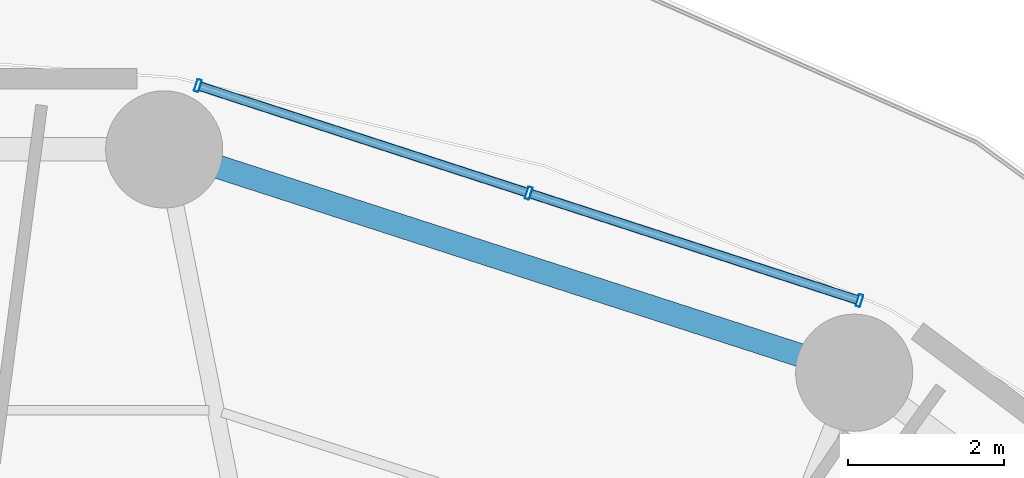
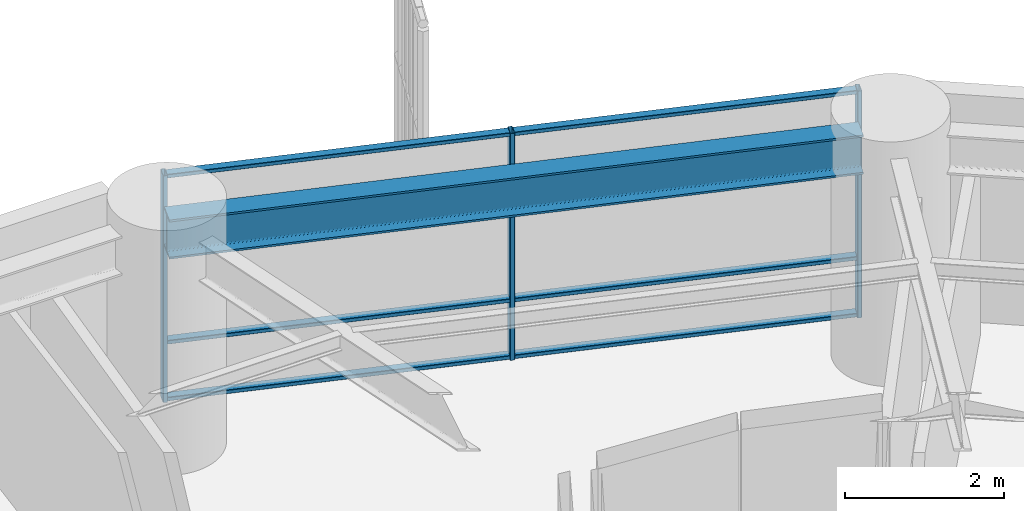
# One storey, part 21 of 33: 9 members, 1 beam, 1 element without a shape of its own.
"""IFC4 building model written with IfcOpenShell, lengths in metres."""

from ifc_helpers import new_model, si_unit, direction, frame, origin, origin_2d, place, context, subcontext, project, spatial, hollow_rectangle, i_section, extrude, material, layer, layer_set, material_profile, profile_set, type_object, element, aggregate, save


model = new_model("IFC4")

# Units and contexts
model_context = context("Model", 3, precision=1e-05, world=origin(), true_north=direction((0.0, 1.0)))
body_context = subcontext(model_context, "Body", "Model", "MODEL_VIEW")
ifc_project = project(units=[si_unit("LENGTHUNIT", "METRE"), si_unit("AREAUNIT", "SQUARE_METRE"), si_unit("VOLUMEUNIT", "CUBIC_METRE"), si_unit("PLANEANGLEUNIT", "RADIAN"), si_unit("MASSUNIT", "GRAM", prefix="KILO")], contexts=[model_context])

# Site, building, storey
site_placement = place(None, origin())
site = spatial("IfcSite", under=ifc_project, at=site_placement, CompositionType="ELEMENT")
building_placement = place(site_placement, origin())
building = spatial("IfcBuilding", under=site, at=building_placement, Name="Kelanora Arch Commons", CompositionType="ELEMENT")
storey_placement = place(building_placement, frame((0.0, 0.0, 45.0)))
storey = spatial("IfcBuildingStorey", under=building, at=storey_placement, Name="L11", CompositionType="ELEMENT", Elevation=45.0)

# Beam
ifc_material_1 = material(Name="Steel S355", Category="steel")
ifc_material_profile_1 = material_profile(ifc_material_1, i_section(OverallWidth=0.300048828125, OverallDepth=0.60009765625, WebThickness=0.015380859375, FlangeThickness=0.030029296875, FilletRadius=0.027099609375, at=origin_2d()), Name="HEB600")
ifc_profile_set_1 = profile_set([ifc_material_profile_1], Name="Steel S355")
beam_type = type_object("IfcBeamType", Name="BM-SPN-Z1", PredefinedType="SPANDREL", material=ifc_profile_set_1)
beam_placement = place(storey_placement, frame((87.178466796875, 78.970947265625, 3.18994140625), z_axis=(-0.951414770924, 0.307912217469, 0.0), x_axis=(-0.307912217469, -0.951414770924, 0.0)))
element("IfcBeam", 1, at=beam_placement, inside=storey, type_object=beam_type, Name="Perimeter Spandrel Beam BS-06 L11", PredefinedType="SPANDREL", context=body_context, shape_type="SweptSolid", body=[
    extrude(i_section(OverallWidth=0.300048828125, OverallDepth=0.60009765625, WebThickness=0.015380859375, FlangeThickness=0.030029296875, FilletRadius=0.027099609375, at=origin_2d()), origin(), (0.0, 0.0, 1.0), 8.908935546875),
])

# Curtain wall, members
ifc_material_2 = material(Name="Terracotta ceramic-fritted low-E glass and aluminium", Category="masonry")
ifc_layer = layer(ifc_material_2, 0.159912109375)
ifc_layer_set = layer_set([ifc_layer], Name="Terracotta ceramic-fritted low-E glass and aluminium")
curtain_wall_type = type_object("IfcCurtainWallType", Name="CW-SYS-01", PredefinedType="NOTDEFINED", material=ifc_layer_set)
curtain_wall_placement = place(storey_placement, origin())
curtain_wall = element("IfcCurtainWall", 2, at=curtain_wall_placement, inside=storey, type_object=curtain_wall_type, Name="Unitised Curtain Wall L11-B03", PredefinedType="NOTDEFINED")
ifc_material_3 = material(Name="Powder-coated aluminium terracotta", Category="masonry")
ifc_material_profile_2 = material_profile(ifc_material_3, hollow_rectangle(XDim=0.159912109375, YDim=0.06005859375, WallThickness=0.0048828125, InnerFilletRadius=0.0048828125, OuterFilletRadius=0.010009765625, at=origin_2d()), Name="CWM160x60")
ifc_profile_set_2 = profile_set([ifc_material_profile_2], Name="Powder-coated aluminium terracotta")
member_type_1 = type_object("IfcMemberType", Name="CWM-STD", PredefinedType="MULLION", material=ifc_profile_set_2)
member_1_placement = place(storey_placement, frame((87.607666015625, 79.778076171875, 0.0), z_axis=(0.0, 0.0, 1.0), x_axis=(-0.30905758454, -0.951043326793, 0.0)))
member_1 = element("IfcMember", 3, at=member_1_placement, type_object=member_type_1, Name="CW-01 mullion 1", PredefinedType="MULLION", context=body_context, shape_type="SweptSolid", body=[
    extrude(hollow_rectangle(XDim=0.159912109375, YDim=0.06005859375, WallThickness=0.0048828125, InnerFilletRadius=0.0048828125, OuterFilletRadius=0.010009765625, at=origin_2d()), origin(), (0.0, 0.0, 1.0), 3.47509765625),
])
member_2_placement = place(storey_placement, frame((83.37109375, 81.15478515625, 0.0), z_axis=(0.0, 0.0, 1.0), x_axis=(-0.30905758454, -0.951043326793, 0.0)))
member_2 = element("IfcMember", 4, at=member_2_placement, type_object=member_type_1, Name="CW-01 mullion 2", PredefinedType="MULLION", context=body_context, shape_type="SweptSolid", body=[
    extrude(hollow_rectangle(XDim=0.159912109375, YDim=0.06005859375, WallThickness=0.0048828125, InnerFilletRadius=0.0048828125, OuterFilletRadius=0.010009765625, at=origin_2d()), origin(), (0.0, 0.0, 1.0), 3.47509765625),
])
member_3_placement = place(storey_placement, frame((79.134521484375, 82.53173828125, 0.0), z_axis=(0.0, 0.0, 1.0), x_axis=(-0.30905758454, -0.951043326793, 0.0)))
member_3 = element("IfcMember", 5, at=member_3_placement, type_object=member_type_1, Name="CW-01 mullion 3", PredefinedType="MULLION", context=body_context, shape_type="SweptSolid", body=[
    extrude(hollow_rectangle(XDim=0.159912109375, YDim=0.06005859375, WallThickness=0.0048828125, InnerFilletRadius=0.0048828125, OuterFilletRadius=0.010009765625, at=origin_2d()), origin(), (0.0, 0.0, 1.0), 3.47509765625),
])
ifc_material_profile_3 = material_profile(ifc_material_3, hollow_rectangle(XDim=0.1201171875, YDim=0.06005859375, WallThickness=0.0048828125, InnerFilletRadius=0.0048828125, OuterFilletRadius=0.010009765625, at=origin_2d()), Name="CWT120x60")
ifc_profile_set_3 = profile_set([ifc_material_profile_3], Name="Powder-coated aluminium terracotta")
member_type_2 = type_object("IfcMemberType", Name="CWT-STD", PredefinedType="USERDEFINED", material=ifc_profile_set_3)
member_4_placement = place(storey_placement, frame((87.5791015625, 79.787353515625, 0.030029296875), z_axis=(-0.951045091182, 0.309052155047, 0.0), x_axis=(-0.309052155047, -0.951045091182, 0.0)))
member_4 = element("IfcMember", 6, at=member_4_placement, type_object=member_type_2, Name="CW-01 transom 1.1", ObjectType="TRANSOM", PredefinedType="USERDEFINED", context=body_context, shape_type="SweptSolid", body=[
    extrude(hollow_rectangle(XDim=0.1201171875, YDim=0.06005859375, WallThickness=0.0048828125, InnerFilletRadius=0.0048828125, OuterFilletRadius=0.010009765625, at=origin_2d()), origin(), (0.0, 0.0, 1.0), 4.39453125),
])
member_5_placement = place(storey_placement, frame((87.5791015625, 79.787353515625, 0.89990234375), z_axis=(-0.951045091182, 0.309052155047, 0.0), x_axis=(-0.309052155047, -0.951045091182, 0.0)))
member_5 = element("IfcMember", 7, at=member_5_placement, type_object=member_type_2, Name="CW-01 transom 1.2", ObjectType="TRANSOM", PredefinedType="USERDEFINED", context=body_context, shape_type="SweptSolid", body=[
    extrude(hollow_rectangle(XDim=0.1201171875, YDim=0.06005859375, WallThickness=0.0048828125, InnerFilletRadius=0.0048828125, OuterFilletRadius=0.010009765625, at=origin_2d()), origin(), (0.0, 0.0, 1.0), 4.39453125),
])
member_6_placement = place(storey_placement, frame((87.5791015625, 79.787353515625, 3.445068359375), z_axis=(-0.951045091182, 0.309052155047, 0.0), x_axis=(-0.309052155047, -0.951045091182, 0.0)))
member_6 = element("IfcMember", 8, at=member_6_placement, type_object=member_type_2, Name="CW-01 transom 1.3", ObjectType="TRANSOM", PredefinedType="USERDEFINED", context=body_context, shape_type="SweptSolid", body=[
    extrude(hollow_rectangle(XDim=0.1201171875, YDim=0.06005859375, WallThickness=0.0048828125, InnerFilletRadius=0.0048828125, OuterFilletRadius=0.010009765625, at=origin_2d()), origin(), (0.0, 0.0, 1.0), 4.39453125),
])
member_7_placement = place(storey_placement, frame((83.342529296875, 81.1640625, 0.030029296875), z_axis=(-0.951028761285, 0.309102402464, 0.0), x_axis=(-0.309102402464, -0.951028761285, 0.0)))
member_7 = element("IfcMember", 9, at=member_7_placement, type_object=member_type_2, Name="CW-01 transom 2.1", ObjectType="TRANSOM", PredefinedType="USERDEFINED", context=body_context, shape_type="SweptSolid", body=[
    extrude(hollow_rectangle(XDim=0.1201171875, YDim=0.06005859375, WallThickness=0.0048828125, InnerFilletRadius=0.0048828125, OuterFilletRadius=0.010009765625, at=origin_2d()), origin(), (0.0, 0.0, 1.0), 4.394775390625),
])
member_8_placement = place(storey_placement, frame((83.342529296875, 81.1640625, 0.89990234375), z_axis=(-0.951028761285, 0.309102402464, 0.0), x_axis=(-0.309102402464, -0.951028761285, 0.0)))
member_8 = element("IfcMember", 10, at=member_8_placement, type_object=member_type_2, Name="CW-01 transom 2.2", ObjectType="TRANSOM", PredefinedType="USERDEFINED", context=body_context, shape_type="SweptSolid", body=[
    extrude(hollow_rectangle(XDim=0.1201171875, YDim=0.06005859375, WallThickness=0.0048828125, InnerFilletRadius=0.0048828125, OuterFilletRadius=0.010009765625, at=origin_2d()), origin(), (0.0, 0.0, 1.0), 4.394775390625),
])
member_9_placement = place(storey_placement, frame((83.342529296875, 81.1640625, 3.445068359375), z_axis=(-0.951028761285, 0.309102402464, 0.0), x_axis=(-0.309102402464, -0.951028761285, 0.0)))
member_9 = element("IfcMember", 11, at=member_9_placement, type_object=member_type_2, Name="CW-01 transom 2.3", ObjectType="TRANSOM", PredefinedType="USERDEFINED", context=body_context, shape_type="SweptSolid", body=[
    extrude(hollow_rectangle(XDim=0.1201171875, YDim=0.06005859375, WallThickness=0.0048828125, InnerFilletRadius=0.0048828125, OuterFilletRadius=0.010009765625, at=origin_2d()), origin(), (0.0, 0.0, 1.0), 4.394775390625),
])
aggregate(curtain_wall, [member_1, member_2, member_3, member_4, member_5, member_6, member_7, member_8, member_9])

save(model, "model.ifc")
